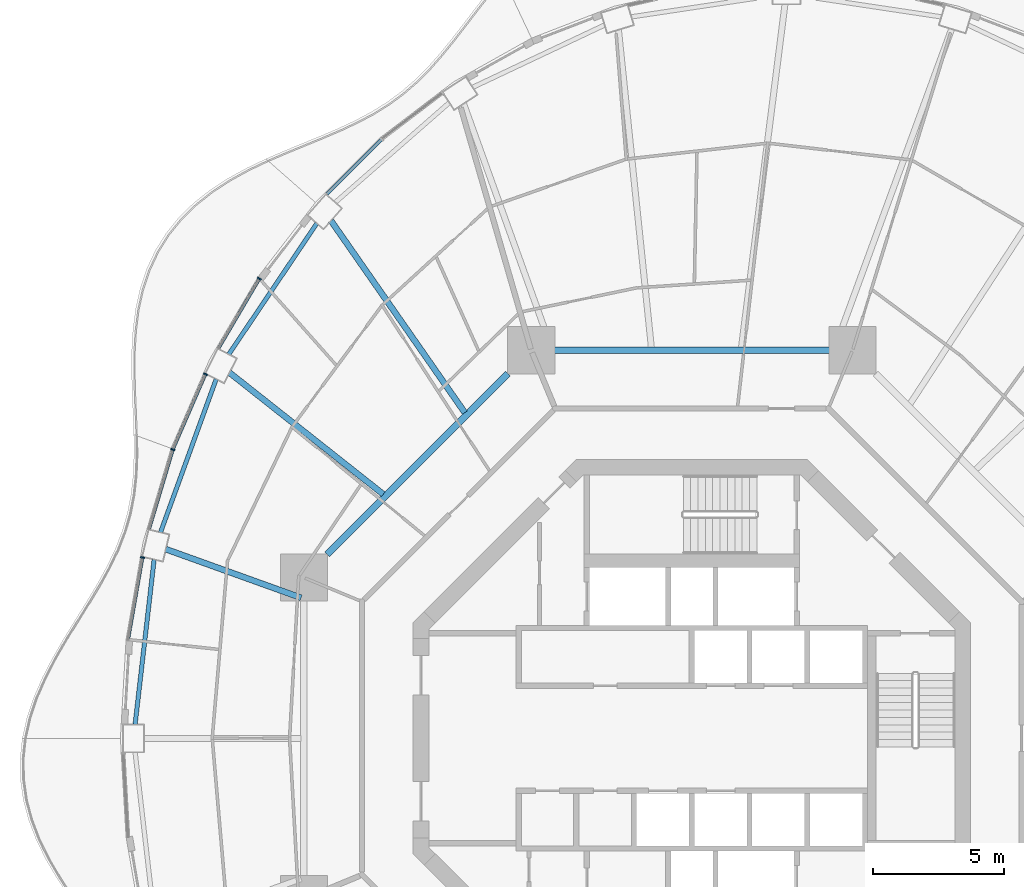
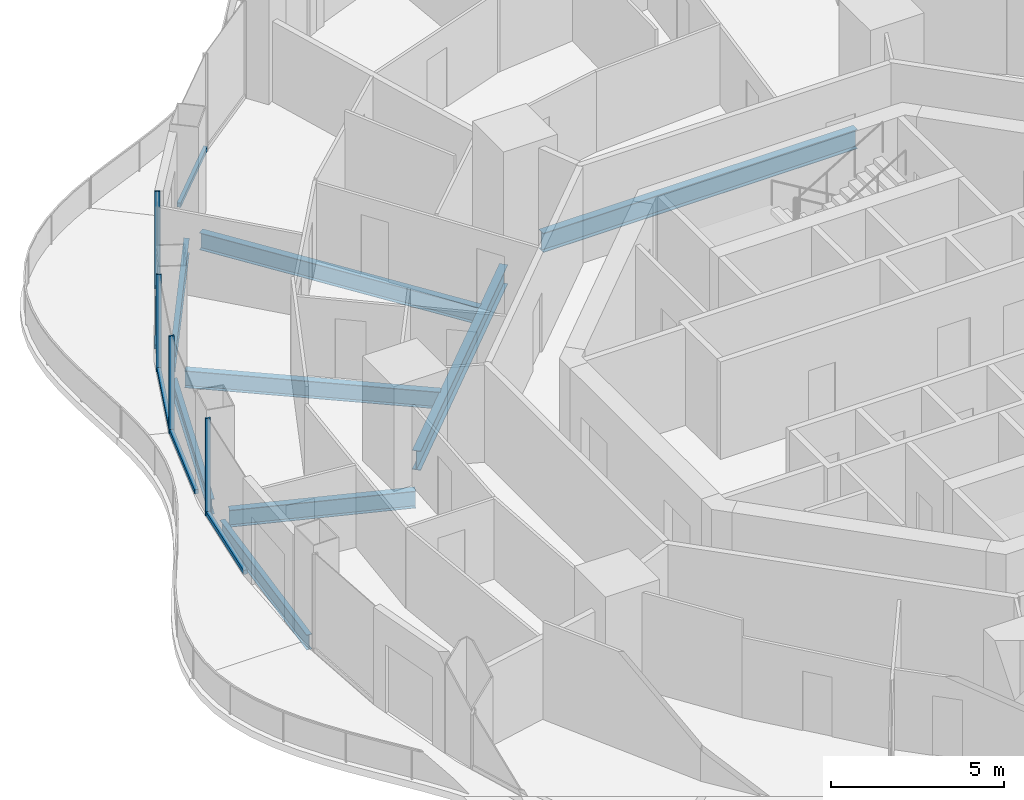
# One storey, part 6 of 19: 9 members, 8 beams, 5 elements without a shape of their own.
"""IFC4 building model written with IfcOpenShell, lengths in metres."""

from ifc_helpers import new_model, si_unit, direction, frame, origin, origin_2d, place, context, subcontext, project, spatial, rectangle, i_section, extrude, material, layer, layer_set, material_profile, profile_set, type_object, element, aggregate, save


model = new_model("IFC4")

# Units and contexts
model_context = context("Model", 3, precision=1e-05, world=origin(), true_north=direction((0.0, 1.0)))
body_context = subcontext(model_context, "Body", "Model", "MODEL_VIEW")
ifc_project = project(units=[si_unit("LENGTHUNIT", "METRE"), si_unit("AREAUNIT", "SQUARE_METRE"), si_unit("VOLUMEUNIT", "CUBIC_METRE"), si_unit("PLANEANGLEUNIT", "RADIAN"), si_unit("MASSUNIT", "GRAM", prefix="KILO")], contexts=[model_context])

# Site, building, storey
site_placement = place(None, origin())
site = spatial("IfcSite", under=ifc_project, at=site_placement, CompositionType="ELEMENT")
building_placement = place(site_placement, origin())
building = spatial("IfcBuilding", under=site, at=building_placement, Name="Nagisa Residences", CompositionType="ELEMENT")
storey_placement = place(building_placement, frame((0.0, 0.0, 195.5)))
storey = spatial("IfcBuildingStorey", under=building, at=storey_placement, Name="L49", CompositionType="ELEMENT", Elevation=195.5)

# Curtain wall, member
ifc_material_1 = material(Name="Concrete-coloured aluminium curtain wall system", Category="concrete")
ifc_layer = layer(ifc_material_1, 0.159912109375)
ifc_layer_set = layer_set([ifc_layer], Name="CW1 CURTAIN WALL")
curtain_wall_type = type_object("IfcCurtainWallType", Name="CW1 CURTAIN WALL", PredefinedType="NOTDEFINED", material=ifc_layer_set)
curtain_wall_1_placement = place(storey_placement, origin())
curtain_wall_1 = element("IfcCurtainWall", 1, at=curtain_wall_1_placement, inside=storey, type_object=curtain_wall_type, Name="cw:CW1:L49:19", PredefinedType="NOTDEFINED")
ifc_material_2 = material(Name="Concrete-coloured aluminium", Category="concrete")
ifc_material_profile_1 = material_profile(ifc_material_2, rectangle(XDim=0.159912109375, YDim=0.06005859375, at=origin_2d()), Name="CW1 MULLION 160x60")
ifc_profile_set_1 = profile_set([ifc_material_profile_1], Name="Concrete-coloured aluminium")
member_type_1 = type_object("IfcMemberType", Name="CW1 MULLION 160x60", PredefinedType="MULLION", material=ifc_profile_set_1)
member_1_placement = place(storey_placement, frame((-16.4775390625, 17.51171875, 0.0), z_axis=(0.0, 0.0, 1.0), x_axis=(0.862328898214, -0.506348567002, 0.0)))
member_1 = element("IfcMember", 2, at=member_1_placement, type_object=member_type_1, Name="CW1 mullion", PredefinedType="MULLION", context=body_context, shape_type="SweptSolid", body=[
    extrude(rectangle(XDim=0.159912109375, YDim=0.06005859375, at=origin_2d()), origin(), (0.0, 0.0, 1.0), 3.43994140625),
])

curtain_wall_2_placement = place(storey_placement, origin())
curtain_wall_2 = element("IfcCurtainWall", 3, at=curtain_wall_2_placement, inside=storey, type_object=curtain_wall_type, Name="cw:CW1:L49:20", PredefinedType="NOTDEFINED")
member_2_placement = place(storey_placement, frame((-18.53271484375, 13.87353515625, 0.0), z_axis=(0.0, 0.0, 1.0), x_axis=(0.917543276295, -0.397635934147, 0.0)))
member_2 = element("IfcMember", 4, at=member_2_placement, type_object=member_type_1, Name="CW1 mullion", PredefinedType="MULLION", context=body_context, shape_type="SweptSolid", body=[
    extrude(rectangle(XDim=0.159912109375, YDim=0.06005859375, at=origin_2d()), origin(), (0.0, 0.0, 1.0), 3.43994140625),
])

curtain_wall_3_placement = place(storey_placement, origin())
curtain_wall_3 = element("IfcCurtainWall", 5, at=curtain_wall_3_placement, inside=storey, type_object=curtain_wall_type, Name="cw:CW1:L49:21", PredefinedType="NOTDEFINED")
member_3_placement = place(storey_placement, frame((-19.775390625, 10.998291015625, 0.0), z_axis=(0.0, 0.0, 1.0), x_axis=(0.958271310082, -0.285860274038, 0.0)))
member_3 = element("IfcMember", 6, at=member_3_placement, type_object=member_type_1, Name="CW1 mullion", PredefinedType="MULLION", context=body_context, shape_type="SweptSolid", body=[
    extrude(rectangle(XDim=0.159912109375, YDim=0.06005859375, at=origin_2d()), origin(), (0.0, 0.0, 1.0), 3.43994140625),
])

curtain_wall_4_placement = place(storey_placement, origin())
curtain_wall_4 = element("IfcCurtainWall", 7, at=curtain_wall_4_placement, inside=storey, type_object=curtain_wall_type, Name="cw:CW1:L49:22", PredefinedType="NOTDEFINED")
member_4_placement = place(storey_placement, frame((-20.931396484375, 6.88818359375, 0.0), z_axis=(0.0, 0.0, 1.0), x_axis=(0.985063604377, -0.172190868898, 0.0)))
member_4 = element("IfcMember", 8, at=member_4_placement, type_object=member_type_1, Name="CW1 mullion", PredefinedType="MULLION", context=body_context, shape_type="SweptSolid", body=[
    extrude(rectangle(XDim=0.159912109375, YDim=0.06005859375, at=origin_2d()), origin(), (0.0, 0.0, 1.0), 3.43994140625),
])

curtain_wall_5_placement = place(storey_placement, origin())
curtain_wall_5 = element("IfcCurtainWall", 9, at=curtain_wall_5_placement, inside=storey, type_object=curtain_wall_type, Name="cw:CW1:L49:17", PredefinedType="NOTDEFINED")
ifc_material_3 = material(Name="Concrete-coloured aluminium", Category="concrete")
ifc_material_profile_2 = material_profile(ifc_material_3, rectangle(XDim=0.1201171875, YDim=0.14990234375, at=origin_2d()), Name="CW1 TRANSOM 120x150")
ifc_profile_set_2 = profile_set([ifc_material_profile_2], Name="Concrete-coloured aluminium")
member_type_2 = type_object("IfcMemberType", Name="CW1 TRANSOM 120x150", PredefinedType="USERDEFINED", material=ifc_profile_set_2)
member_5_placement = place(storey_placement, frame((-11.790771484375, 22.8515625, 0.074951171875), z_axis=(-0.707803821372, -0.706409053206, 0.0), x_axis=(0.706409053206, -0.707803821372, 0.0)))
member_5 = element("IfcMember", 10, at=member_5_placement, type_object=member_type_2, Name="CW1 transom", ObjectType="TRANSOM", PredefinedType="USERDEFINED", context=body_context, shape_type="SweptSolid", body=[
    extrude(rectangle(XDim=0.1201171875, YDim=0.14990234375, at=origin_2d()), origin(), (0.0, 0.0, 1.0), 2.9755859375),
])
aggregate(curtain_wall_5, [member_5])

# Member
member_6_placement = place(storey_placement, frame((-16.46240234375, 17.53759765625, 0.074951171875), z_axis=(-0.506309086483, -0.862352079458, 0.0), x_axis=(0.862352079458, -0.506309086483, 0.0)))
member_6 = element("IfcMember", 11, at=member_6_placement, type_object=member_type_2, Name="CW1 transom", ObjectType="TRANSOM", PredefinedType="USERDEFINED", context=body_context, shape_type="SweptSolid", body=[
    extrude(rectangle(XDim=0.1201171875, YDim=0.14990234375, at=origin_2d()), origin(), (0.0, 0.0, 1.0), 3.091796875),
])

aggregate(curtain_wall_1, [member_1, member_6])

member_7_placement = place(storey_placement, frame((-18.520751953125, 13.901123046875, 0.074951171875), z_axis=(-0.397592173732, -0.917562239517, 0.0), x_axis=(0.917562239517, -0.397592173732, 0.0)))
member_7 = element("IfcMember", 12, at=member_7_placement, type_object=member_type_2, Name="CW1 transom", ObjectType="TRANSOM", PredefinedType="USERDEFINED", context=body_context, shape_type="SweptSolid", body=[
    extrude(rectangle(XDim=0.1201171875, YDim=0.14990234375, at=origin_2d()), origin(), (0.0, 0.0, 1.0), 3.14208984375),
])

aggregate(curtain_wall_2, [member_2, member_7])

member_8_placement = place(storey_placement, frame((-19.766845703125, 11.027099609375, 0.074951171875), z_axis=(-0.28584838049, -0.958274857946, 0.0), x_axis=(0.958274857946, -0.28584838049, 0.0)))
member_8 = element("IfcMember", 13, at=member_8_placement, type_object=member_type_2, Name="CW1 transom", ObjectType="TRANSOM", PredefinedType="USERDEFINED", context=body_context, shape_type="SweptSolid", body=[
    extrude(rectangle(XDim=0.1201171875, YDim=0.14990234375, at=origin_2d()), origin(), (0.0, 0.0, 1.0), 3.182373046875),
])

aggregate(curtain_wall_3, [member_3, member_8])

member_9_placement = place(storey_placement, frame((-20.92626953125, 6.917724609375, 0.074951171875), z_axis=(-0.172162664901, -0.98506853407, 0.0), x_axis=(0.98506853407, -0.172162664901, 0.0)))
member_9 = element("IfcMember", 14, at=member_9_placement, type_object=member_type_2, Name="CW1 transom", ObjectType="TRANSOM", PredefinedType="USERDEFINED", context=body_context, shape_type="SweptSolid", body=[
    extrude(rectangle(XDim=0.1201171875, YDim=0.14990234375, at=origin_2d()), origin(), (0.0, 0.0, 1.0), 3.21044921875),
])

aggregate(curtain_wall_4, [member_4, member_9])

# Beams
ifc_material_4 = material(Name="Steel ASTM A572 Gr 50", Category="steel")
ifc_material_profile_3 = material_profile(ifc_material_4, i_section(OverallWidth=0.25390625, OverallDepth=0.68408203125, WebThickness=0.012451171875, FlangeThickness=0.018798828125, at=origin_2d()), Name="W690x140")
ifc_profile_set_3 = profile_set([ifc_material_profile_3], Name="Steel ASTM A572 Gr 50")
beam_type_1 = type_object("IfcBeamType", Name="Inner ring beam W690x140", PredefinedType="BEAM", material=ifc_profile_set_3)
beam_1_placement = place(storey_placement, frame((5.242919921875, 14.781982421875, -0.60205078125), z_axis=(-1.0, 0.0, 0.0), x_axis=(0.0, -1.0, 0.0)))
element("IfcBeam", 15, at=beam_1_placement, inside=storey, type_object=beam_type_1, Name="beam:L49:ib2", PredefinedType="BEAM", context=body_context, shape_type="SweptSolid", body=[
    extrude(i_section(OverallWidth=0.25390625, OverallDepth=0.68408203125, WebThickness=0.012451171875, FlangeThickness=0.018798828125, at=origin_2d()), origin(), (0.0, 0.0, 1.0), 10.48583984375),
])
beam_2_placement = place(storey_placement, frame((-7.0087890625, 13.896240234375, -0.60205078125), z_axis=(-0.707106781187, -0.707106781187, 0.0), x_axis=(0.707106781187, -0.707106781187, 0.0)))
element("IfcBeam", 16, at=beam_2_placement, inside=storey, type_object=beam_type_1, Name="beam:L49:ib3", PredefinedType="BEAM", context=body_context, shape_type="SweptSolid", body=[
    extrude(i_section(OverallWidth=0.25390625, OverallDepth=0.68408203125, WebThickness=0.012451171875, FlangeThickness=0.018798828125, at=origin_2d()), origin(), (0.0, 0.0, 1.0), 9.740234375),
])
ifc_material_5 = material(Name="Steel ASTM A572 Gr 50", Category="steel")
ifc_material_profile_4 = material_profile(ifc_material_5, i_section(OverallWidth=0.166015625, OverallDepth=0.534912109375, WebThickness=0.01025390625, FlangeThickness=0.0166015625, at=origin_2d()), Name="W530x85")
ifc_profile_set_4 = profile_set([ifc_material_profile_4], Name="Steel ASTM A572 Gr 50")
beam_type_2 = type_object("IfcBeamType", Name="Perimeter ring beam W530x85", PredefinedType="BEAM", material=ifc_profile_set_4)
beam_3_placement = place(storey_placement, frame((-14.28759765625, 19.62060546875, -0.527587890625), z_axis=(-0.558152301307, -0.829738518177, 0.0), x_axis=(0.829738518177, -0.558152301307, 0.0)))
element("IfcBeam", 17, at=beam_3_placement, inside=storey, type_object=beam_type_2, Name="beam:L49:pb10", PredefinedType="BEAM", context=body_context, shape_type="SweptSolid", body=[
    extrude(i_section(OverallWidth=0.166015625, OverallDepth=0.534912109375, WebThickness=0.01025390625, FlangeThickness=0.0166015625, at=origin_2d()), origin(), (0.0, 0.0, 1.0), 6.013916015625),
])
beam_4_placement = place(storey_placement, frame((-18.124755859375, 13.685546875, -0.527587890625), z_axis=(-0.341285525681, -0.939959674646, 0.0), x_axis=(0.939959674646, -0.341285525681, 0.0)))
element("IfcBeam", 18, at=beam_4_placement, inside=storey, type_object=beam_type_2, Name="beam:L49:pb11", PredefinedType="BEAM", context=body_context, shape_type="SweptSolid", body=[
    extrude(i_section(OverallWidth=0.166015625, OverallDepth=0.534912109375, WebThickness=0.01025390625, FlangeThickness=0.0166015625, at=origin_2d()), origin(), (0.0, 0.0, 1.0), 6.212890625),
])
beam_5_placement = place(storey_placement, frame((-20.488525390625, 6.813720703125, -0.527587890625), z_axis=(-0.114670987431, -0.993403525583, 0.0), x_axis=(0.993403525583, -0.114670987431, 0.0)))
element("IfcBeam", 19, at=beam_5_placement, inside=storey, type_object=beam_type_2, Name="beam:L49:pb12", PredefinedType="BEAM", context=body_context, shape_type="SweptSolid", body=[
    extrude(i_section(OverallWidth=0.166015625, OverallDepth=0.534912109375, WebThickness=0.01025390625, FlangeThickness=0.0166015625, at=origin_2d()), origin(), (0.0, 0.0, 1.0), 6.325439453125),
])
ifc_material_6 = material(Name="Steel ASTM A572 Gr 50", Category="steel")
ifc_material_profile_5 = material_profile(ifc_material_6, i_section(OverallWidth=0.22802734375, OverallDepth=0.60302734375, WebThickness=0.010498046875, FlangeThickness=0.014892578125, at=origin_2d()), Name="W610x101")
ifc_profile_set_5 = profile_set([ifc_material_profile_5], Name="Steel ASTM A572 Gr 50")
beam_type_3 = type_object("IfcBeamType", Name="Radial beam W610x101", PredefinedType="BEAM", material=ifc_profile_set_5)
beam_6_placement = place(storey_placement, frame((-13.75048828125, 19.7216796875, -0.5615234375), z_axis=(0.571934479253, -0.82029930601, 0.0), x_axis=(0.82029930601, 0.571934479253, 0.0)))
element("IfcBeam", 20, at=beam_6_placement, inside=storey, type_object=beam_type_3, Name="beam:L49:rb10", PredefinedType="BEAM", context=body_context, shape_type="SweptSolid", body=[
    extrude(i_section(OverallWidth=0.22802734375, OverallDepth=0.60302734375, WebThickness=0.010498046875, FlangeThickness=0.014892578125, at=origin_2d()), origin(), (0.0, 0.0, 1.0), 8.917724609375),
])
beam_7_placement = place(storey_placement, frame((-17.617919921875, 13.930908203125, -0.5615234375), z_axis=(0.784411523752, -0.620240728593, 0.0), x_axis=(0.620240728593, 0.784411523752, 0.0)))
element("IfcBeam", 21, at=beam_7_placement, inside=storey, type_object=beam_type_3, Name="beam:L49:rb11", PredefinedType="BEAM", context=body_context, shape_type="SweptSolid", body=[
    extrude(i_section(OverallWidth=0.22802734375, OverallDepth=0.60302734375, WebThickness=0.010498046875, FlangeThickness=0.014892578125, at=origin_2d()), origin(), (0.0, 0.0, 1.0), 7.4697265625),
])
beam_8_placement = place(storey_placement, frame((-20.043701171875, 7.2060546875, -0.5615234375), z_axis=(0.941032808963, -0.338315315137, 0.0), x_axis=(0.338315315137, 0.941032808963, 0.0)))
element("IfcBeam", 22, at=beam_8_placement, inside=storey, type_object=beam_type_3, Name="beam:L49:rb12", PredefinedType="BEAM", context=body_context, shape_type="SweptSolid", body=[
    extrude(i_section(OverallWidth=0.22802734375, OverallDepth=0.60302734375, WebThickness=0.010498046875, FlangeThickness=0.014892578125, at=origin_2d()), origin(), (0.0, 0.0, 1.0), 5.4765625),
])

save(model, "model.ifc")
